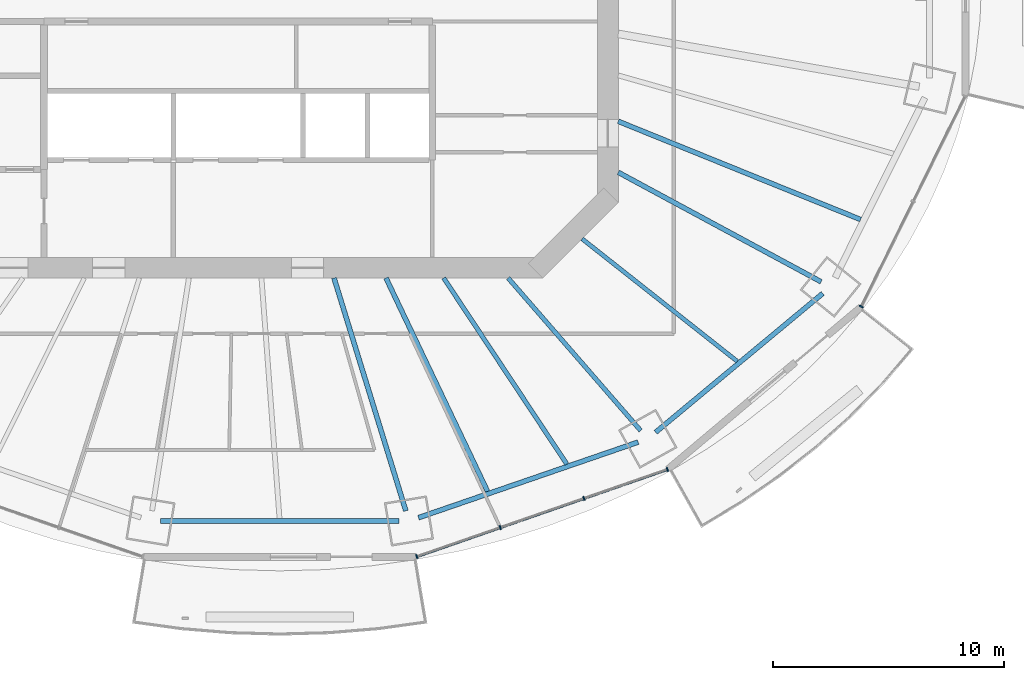
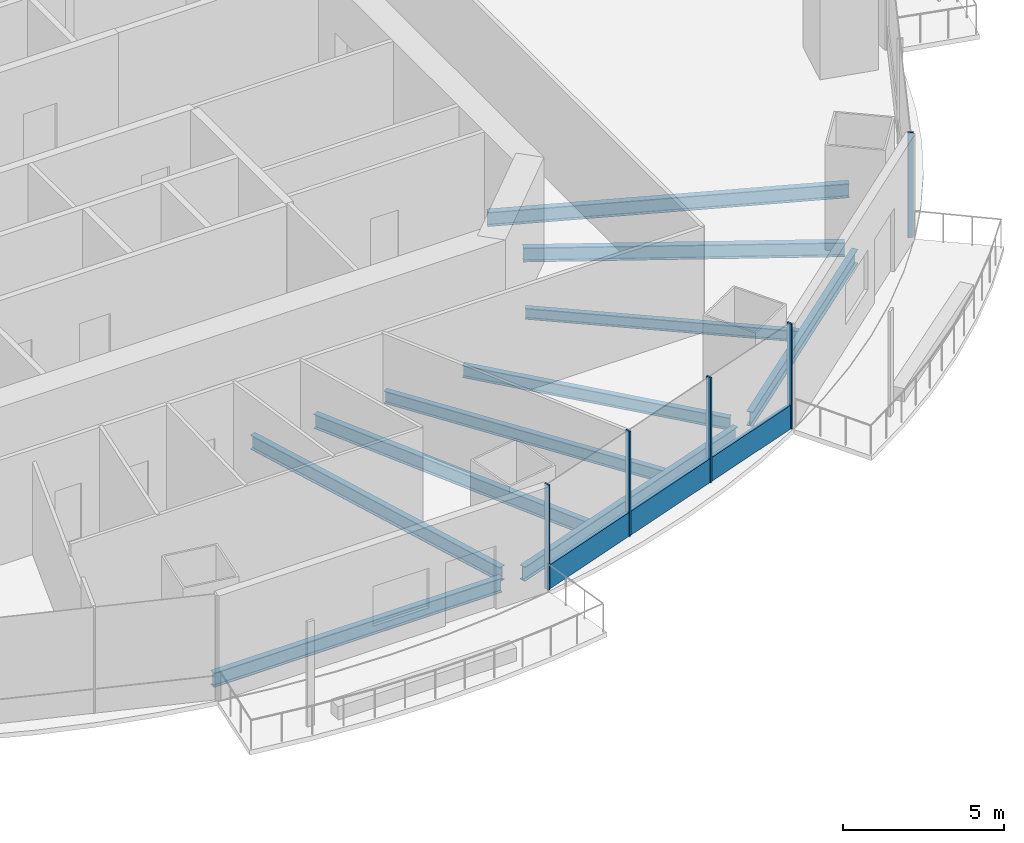
# One storey, part 4 of 19: 10 beams, 6 members, 2 elements without a shape of their own.
"""IFC4 building model written with IfcOpenShell, lengths in metres."""

import ifcopenshell
import ifcopenshell.guid

model = None  # the IFC model being written
_history = None  # IfcOwnerHistory: only IFC2X3 demands one
_inside = {}  # id of a spatial element -> (the spatial element, [elements in it])
_under = {}  # id of a project, library or spatial element -> (it, [spatial elements below it])
_declared = {}  # id of a project -> (the project, [libraries it declares])
_typed = {}  # id of a type object -> (the type object, [elements of that type])
_made_of = {}  # id of a material, layer set ... -> (it, [elements and type objects made of it])


def new_model(schema):
    """Start an empty IFC model of exactly this schema.

    Asked for "IFC4X3", IfcOpenShell would pick the latest addendum, in which some entities
    have other attributes; the version numbers below select the first issue.
    IFC2X3 requires an IfcOwnerHistory on every rooted entity: one is made here for all.
    """
    global model, _history
    if schema == "IFC4X3":
        model = ifcopenshell.file(schema_version=(4, 3, 0, 0))
    else:
        model = ifcopenshell.file(schema=schema)
    _inside.clear()
    _under.clear()
    _declared.clear()
    _typed.clear()
    _made_of.clear()
    _history = None
    if model.schema == "IFC2X3":
        org = make("IfcOrganization", Name="unknown")
        user = make(
            "IfcPersonAndOrganization",
            ThePerson=make("IfcPerson", FamilyName="unknown"),
            TheOrganization=org,
        )
        app = make(
            "IfcApplication",
            ApplicationDeveloper=org,
            Version="unknown",
            ApplicationFullName="unknown",
            ApplicationIdentifier="unknown",
        )
        _history = make(
            "IfcOwnerHistory",
            OwningUser=user,
            OwningApplication=app,
            ChangeAction="ADDED",
            CreationDate=0,
        )
    return model


def make(cls, **values):
    """One entity of the class cls with the attributes given. An attribute that is None is left unset."""
    return model.create_entity(
        cls, **{name: value for name, value in values.items() if value is not None}
    )


def rooted(cls, **values):
    """An entity with a GlobalId (a new one), such as an element, a storey or a relation."""
    return make(cls, GlobalId=ifcopenshell.guid.new(), OwnerHistory=_history, **values)


def si_unit(unit_type, name, prefix=None):
    """IfcSIUnit, for example si_unit("LENGTHUNIT", "METRE", prefix="MILLI")."""
    return make("IfcSIUnit", UnitType=unit_type, Prefix=prefix, Name=name)


def assignment(units):
    """IfcUnitAssignment: the units of a project."""
    return None if units is None else make("IfcUnitAssignment", Units=units)


def point(xyz):
    """IfcCartesianPoint."""
    return None if xyz is None else make("IfcCartesianPoint", Coordinates=xyz)


def direction(xyz):
    """IfcDirection."""
    return None if xyz is None else make("IfcDirection", DirectionRatios=xyz)


def frame(location, z_axis=None, x_axis=None):
    """IfcAxis2Placement3D, a coordinate frame: its origin and axes. An axis left out is left unset."""
    return make(
        "IfcAxis2Placement3D",
        Location=point(location),
        Axis=direction(z_axis),
        RefDirection=direction(x_axis),
    )


def frame_2d(location, x_axis=None):
    """IfcAxis2Placement2D, a coordinate frame in the plane: its origin and x axis."""
    return make(
        "IfcAxis2Placement2D", Location=point(location), RefDirection=direction(x_axis)
    )


def origin():
    """The frame at (0, 0, 0) with its axes left unset."""
    return frame((0.0, 0.0, 0.0))


def origin_2d():
    """The frame at (0, 0) in the plane with its x axis left unset."""
    return frame_2d((0.0, 0.0))


def place(relative_to, where):
    """IfcLocalPlacement: puts the frame where relative to a parent placement (None: the world)."""
    return make(
        "IfcLocalPlacement", PlacementRelTo=relative_to, RelativePlacement=where
    )


def context(
    kind, dimensions, precision=None, world=None, true_north=None, identifier=None
):
    """IfcGeometricRepresentationContext, for example the 3D "Model" context."""
    return make(
        "IfcGeometricRepresentationContext",
        ContextIdentifier=identifier,
        ContextType=kind,
        CoordinateSpaceDimension=dimensions,
        Precision=precision,
        WorldCoordinateSystem=world,
        TrueNorth=true_north,
    )


def subcontext(parent, identifier, kind, view, scale=None):
    """IfcGeometricRepresentationSubContext, for example "Body" below "Model"."""
    return make(
        "IfcGeometricRepresentationSubContext",
        ContextIdentifier=identifier,
        ContextType=kind,
        ParentContext=parent,
        TargetScale=scale,
        TargetView=view,
    )


def project(units=None, contexts=None):
    """IfcProject with its units and contexts."""
    return rooted(
        "IfcProject",
        Name="project",
        RepresentationContexts=contexts,
        UnitsInContext=assignment(units),
    )


def spatial(cls, under=None, at=None, **own):
    """A site, building, storey or space (cls), placed at a placement, below another one or the project."""
    s = rooted(cls, ObjectPlacement=at, **own)
    if under is not None:
        _under.setdefault(under.id(), (under, []))[1].append(s)
    return s


def profile(cls, at=None, kind="AREA", **sizes):
    """A parametric profile (cls). Its sizes go by their IFC names, for example OverallWidth=200.0."""
    return make(cls, ProfileType=kind, Position=at, **sizes)


def rectangle(**sizes):
    """IfcRectangleProfileDef."""
    return profile("IfcRectangleProfileDef", **sizes)


def i_section(**sizes):
    """IfcIShapeProfileDef."""
    return profile("IfcIShapeProfileDef", **sizes)


def extrude(swept, where, along, depth):
    """IfcExtrudedAreaSolid: the profile swept, set in the frame where, extruded along a direction by depth."""
    return make(
        "IfcExtrudedAreaSolid",
        SweptArea=swept,
        Position=where,
        ExtrudedDirection=direction(along),
        Depth=depth,
    )


def shape(context_of_items, identifier, shape_type, items):
    """IfcShapeRepresentation: the items that make up one representation, for example the "Body"."""
    return make(
        "IfcShapeRepresentation",
        ContextOfItems=context_of_items,
        RepresentationIdentifier=identifier,
        RepresentationType=shape_type,
        Items=items,
    )


def material(Name=None, Category=None):
    """IfcMaterial."""
    return make("IfcMaterial", Name=Name, Category=Category)


def material_profile(
    of_material, cross_section, Name=None, Category=None, Priority=None
):
    """IfcMaterialProfile: a cross section and its material."""
    return make(
        "IfcMaterialProfile",
        Name=Name,
        Material=of_material,
        Profile=cross_section,
        Priority=Priority,
        Category=Category,
    )


def profile_set(profiles, Name=None, composite=None):
    """IfcMaterialProfileSet."""
    return make(
        "IfcMaterialProfileSet",
        Name=Name,
        MaterialProfiles=profiles,
        CompositeProfile=composite,
    )


def made_of(thing, what):
    """Note that an element or type object is made of a material, layer set ...; save() writes the relation."""
    if what is not None:
        _made_of.setdefault(what.id(), (what, []))[1].append(thing)
    return thing


def type_object(cls, material=None, **own):
    """A type object (cls), such as IfcWallType, which elements share."""
    return made_of(rooted(cls, **own), material)


def element(
    cls,
    number,
    at=None,
    inside=None,
    cuts=None,
    type_object=None,
    material=None,
    context=None,
    identifier="Body",
    shape_type=None,
    held_by="IfcProductDefinitionShape",
    body=None,
    shapes=None,
    **own,
):
    """One element of the class cls, such as IfcWall. Its Tag is "e" and its number.

    at: its placement. inside: the storey or other place that contains it. cuts: it is an
    opening in that element (IfcRelVoidsElement). A single representation is given by context,
    identifier, shape_type and body (its items); several are given by shapes. held_by: the class
    of the entity that holds the representations. save() writes the other relations.
    """
    e = rooted(cls, Tag="e%d" % number, ObjectPlacement=at, **own)
    if body is not None:
        shapes = [shape(context, identifier, shape_type, body)]
    if shapes is not None:
        e.Representation = make(held_by, Representations=shapes)
    if inside is not None:
        _inside.setdefault(inside.id(), (inside, []))[1].append(e)
    if cuts is not None:
        rooted(
            "IfcRelVoidsElement", RelatingBuildingElement=cuts, RelatedOpeningElement=e
        )
    if type_object is not None:
        _typed.setdefault(type_object.id(), (type_object, []))[1].append(e)
    return made_of(e, material)


def aggregate(whole, parts):
    """IfcRelAggregates: a whole, such as a stair, and the parts it consists of."""
    return rooted("IfcRelAggregates", RelatingObject=whole, RelatedObjects=parts)


def save(model, path):
    """Write the relations noted so far, then the file.

    IfcRelAggregates (storeys below a building ...), IfcRelContainedInSpatialStructure (elements
    in a storey), IfcRelDefinesByType, IfcRelAssociatesMaterial and IfcRelDeclares: one each for
    every whole, place, type object, material and project.
    """
    for whole, parts in _under.values():
        aggregate(whole, parts)
    for where, things in _inside.values():
        rooted(
            "IfcRelContainedInSpatialStructure",
            RelatedElements=things,
            RelatingStructure=where,
        )
    for kind, things in _typed.values():
        rooted("IfcRelDefinesByType", RelatedObjects=things, RelatingType=kind)
    for what, things in _made_of.values():
        rooted("IfcRelAssociatesMaterial", RelatedObjects=things, RelatingMaterial=what)
    for by, libraries in _declared.values():
        rooted("IfcRelDeclares", RelatingContext=by, RelatedDefinitions=libraries)
    model.write(path)


model = new_model("IFC4")

# Units and contexts
model_context = context("Model", 3, precision=1e-05, world=origin(), true_north=direction((0.0, 1.0)))
body_context = subcontext(model_context, "Body", "Model", "MODEL_VIEW")
ifc_project = project(units=[si_unit("LENGTHUNIT", "METRE"), si_unit("AREAUNIT", "SQUARE_METRE"), si_unit("VOLUMEUNIT", "CUBIC_METRE"), si_unit("PLANEANGLEUNIT", "RADIAN"), si_unit("MASSUNIT", "GRAM", prefix="KILO")], contexts=[model_context])

# Site, building, storey
site_placement = place(None, origin())
site = spatial("IfcSite", under=ifc_project, at=site_placement, CompositionType="ELEMENT")
building_placement = place(site_placement, origin())
building = spatial("IfcBuilding", under=site, at=building_placement, Name="Marenthal Gate Tower", CompositionType="ELEMENT")
storey_placement = place(building_placement, frame((0.0, 0.0, 239.89990234375)))
storey = spatial("IfcBuildingStorey", under=building, at=storey_placement, Name="L53", CompositionType="ELEMENT", Elevation=239.89990234375)

# Curtain wall, members
ifc_material_1 = material(Name="Aluminium and glass", Category="aluminium")
curtain_wall_type = type_object("IfcCurtainWallType", Name="Curtain wall typical mid", PredefinedType="NOTDEFINED", material=ifc_material_1)
curtain_wall_1_placement = place(storey_placement, origin())
curtain_wall_1 = element("IfcCurtainWall", 1, at=curtain_wall_1_placement, inside=storey, type_object=curtain_wall_type, Name="Curtain wall L53 bay 13", PredefinedType="NOTDEFINED")
ifc_material_2 = material(Name="Aluminium", Category="aluminium")
ifc_material_profile_1 = material_profile(ifc_material_2, rectangle(XDim=0.179931640625, YDim=0.06005859375, at=origin_2d()), Name="60x180 aluminium mullion")
ifc_profile_set_1 = profile_set([ifc_material_profile_1], Name="Aluminium")
member_type_1 = type_object("IfcMemberType", Name="Mullion 60x180 typical mid", PredefinedType="MULLION", material=ifc_profile_set_1)
member_1_placement = place(storey_placement, frame((7.728759765625, -25.501220703125, 0.0), z_axis=(0.0, 0.0, 1.0), x_axis=(-0.328540448732, 0.944489901241, 0.0)))
member_1 = element("IfcMember", 2, at=member_1_placement, type_object=member_type_1, Name="Mullion L53 bay 13.1", PredefinedType="MULLION", context=body_context, shape_type="SweptSolid", body=[
    extrude(rectangle(XDim=0.179931640625, YDim=0.06005859375, at=origin_2d()), origin(), (0.0, 0.0, 1.0), 3.97021484375),
])
member_2_placement = place(storey_placement, frame((11.34423828125, -24.24365234375, 0.0), z_axis=(0.0, 0.0, 1.0), x_axis=(-0.328540448732, 0.944489901241, 0.0)))
member_2 = element("IfcMember", 3, at=member_2_placement, type_object=member_type_1, Name="Mullion L53 bay 13.2", PredefinedType="MULLION", context=body_context, shape_type="SweptSolid", body=[
    extrude(rectangle(XDim=0.179931640625, YDim=0.06005859375, at=origin_2d()), origin(), (0.0, 0.0, 1.0), 3.97021484375),
])
member_3_placement = place(storey_placement, frame((14.95947265625, -22.98583984375, 0.0), z_axis=(0.0, 0.0, 1.0), x_axis=(-0.328540448732, 0.944489901241, 0.0)))
member_3 = element("IfcMember", 4, at=member_3_placement, type_object=member_type_1, Name="Mullion L53 bay 13.3", PredefinedType="MULLION", context=body_context, shape_type="SweptSolid", body=[
    extrude(rectangle(XDim=0.179931640625, YDim=0.06005859375, at=origin_2d()), origin(), (0.0, 0.0, 1.0), 3.97021484375),
])
member_4_placement = place(storey_placement, frame((18.574951171875, -21.728271484375, 0.0), z_axis=(0.0, 0.0, 1.0), x_axis=(-0.328540448732, 0.944489901241, 0.0)))
member_4 = element("IfcMember", 5, at=member_4_placement, type_object=member_type_1, Name="Mullion L53 bay 13.4", PredefinedType="MULLION", context=body_context, shape_type="SweptSolid", body=[
    extrude(rectangle(XDim=0.179931640625, YDim=0.06005859375, at=origin_2d()), origin(), (0.0, 0.0, 1.0), 3.97021484375),
])

# Curtain wall, member
curtain_wall_2_placement = place(storey_placement, origin())
curtain_wall_2 = element("IfcCurtainWall", 6, at=curtain_wall_2_placement, inside=storey, type_object=curtain_wall_type, Name="Curtain wall L53 bay 15", PredefinedType="NOTDEFINED")
member_5_placement = place(storey_placement, frame((26.961181640625, -14.68408203125, 0.0), z_axis=(0.0, 0.0, 1.0), x_axis=(-0.896835471663, 0.442364258013, 0.0)))
member_5 = element("IfcMember", 7, at=member_5_placement, type_object=member_type_1, Name="Mullion L53 bay 15.1", PredefinedType="MULLION", context=body_context, shape_type="SweptSolid", body=[
    extrude(rectangle(XDim=0.179931640625, YDim=0.06005859375, at=origin_2d()), origin(), (0.0, 0.0, 1.0), 3.97021484375),
])
aggregate(curtain_wall_2, [member_5])

# Member
ifc_material_3 = material(Name="Aluminium", Category="aluminium")
ifc_material_profile_2 = material_profile(ifc_material_3, rectangle(XDim=0.1201171875, YDim=0.89990234375, at=origin_2d()), Name="120x900 aluminium transom")
ifc_profile_set_2 = profile_set([ifc_material_profile_2], Name="Aluminium")
member_type_2 = type_object("IfcMemberType", Name="Transom 120x900 typical mid", PredefinedType="USERDEFINED", material=ifc_profile_set_2)
member_6_placement = place(storey_placement, frame((7.757080078125, -25.4912109375, 0.4501953125), z_axis=(0.944495643428, 0.328523940598, 0.0), x_axis=(-0.328523940598, 0.944495643428, 0.0)))
member_6 = element("IfcMember", 8, at=member_6_placement, type_object=member_type_2, Name="Transom L53 bay 13", ObjectType="TRANSOM", PredefinedType="USERDEFINED", context=body_context, shape_type="SweptSolid", body=[
    extrude(rectangle(XDim=0.1201171875, YDim=0.89990234375, at=origin_2d()), origin(), (0.0, 0.0, 1.0), 11.423583984375),
])

aggregate(curtain_wall_1, [member_1, member_2, member_3, member_4, member_6])

# Beams
ifc_material_4 = material(Name="Steel S355", Category="steel")
ifc_material_profile_3 = material_profile(ifc_material_4, i_section(OverallWidth=0.180908203125, OverallDepth=0.4169921875, WebThickness=0.010986328125, FlangeThickness=0.018310546875, FilletRadius=0.01025390625, at=origin_2d()), Name="W410X85")
ifc_profile_set_3 = profile_set([ifc_material_profile_3], Name="Steel S355")
beam_type_1 = type_object("IfcBeamType", Name="W410X85 beam", PredefinedType="BEAM", material=ifc_profile_set_3)
beam_1_placement = place(storey_placement, frame((21.5947265625, -17.0517578125, -0.388427734375), z_axis=(-0.784827949128, 0.619713716379, 0.0), x_axis=(-0.619713716379, -0.784827949128, 0.0)))
element("IfcBeam", 9, at=beam_1_placement, inside=storey, type_object=beam_type_1, Name="BM-L53-37", PredefinedType="BEAM", context=body_context, shape_type="SweptSolid", body=[
    extrude(i_section(OverallWidth=0.180908203125, OverallDepth=0.4169921875, WebThickness=0.010986328125, FlangeThickness=0.018310546875, FilletRadius=0.01025390625, at=origin_2d()), origin(), (0.0, 0.0, 1.0), 8.55078125),
])
ifc_material_5 = material(Name="Steel S355", Category="steel")
ifc_material_profile_4 = material_profile(ifc_material_5, i_section(OverallWidth=0.193115234375, OverallDepth=0.467041015625, WebThickness=0.011474609375, FlangeThickness=0.01904296875, FilletRadius=0.010009765625, at=origin_2d()), Name="W460X97")
ifc_profile_set_4 = profile_set([ifc_material_profile_4], Name="Steel S355")
beam_type_2 = type_object("IfcBeamType", Name="W460X97 beam", PredefinedType="BEAM", material=ifc_profile_set_4)
beam_2_placement = place(storey_placement, frame((17.41650390625, -20.04931640625, -0.413330078125), z_axis=(-0.655793490166, 0.754940327613, 0.0), x_axis=(-0.754940327613, -0.655793490166, 0.0)))
element("IfcBeam", 10, at=beam_2_placement, inside=storey, type_object=beam_type_2, Name="BM-L53-14", PredefinedType="BEAM", context=body_context, shape_type="SweptSolid", body=[
    extrude(i_section(OverallWidth=0.193115234375, OverallDepth=0.467041015625, WebThickness=0.011474609375, FlangeThickness=0.01904296875, FilletRadius=0.010009765625, at=origin_2d()), origin(), (0.0, 0.0, 1.0), 8.741455078125),
])
beam_3_placement = place(storey_placement, frame((14.220703125, -21.4990234375, -0.413330078125), z_axis=(-0.551695872775, 0.834045360855, 0.0), x_axis=(-0.834045360855, -0.551695872775, 0.0)))
element("IfcBeam", 11, at=beam_3_placement, inside=storey, type_object=beam_type_2, Name="BM-L53-36", PredefinedType="BEAM", context=body_context, shape_type="SweptSolid", body=[
    extrude(i_section(OverallWidth=0.193115234375, OverallDepth=0.467041015625, WebThickness=0.011474609375, FlangeThickness=0.01904296875, FilletRadius=0.010009765625, at=origin_2d()), origin(), (0.0, 0.0, 1.0), 9.650634765625),
])
ifc_material_6 = material(Name="Steel S355", Category="steel")
ifc_material_profile_5 = material_profile(ifc_material_6, i_section(OverallWidth=0.2099609375, OverallDepth=0.535888671875, WebThickness=0.010986328125, FlangeThickness=0.017333984375, FilletRadius=0.0126953125, at=origin_2d()), Name="W530X101")
ifc_profile_set_5 = profile_set([ifc_material_profile_5], Name="Steel S355")
beam_type_3 = type_object("IfcBeamType", Name="W530X101 beam", PredefinedType="BEAM", material=ifc_profile_set_5)
beam_4_placement = place(storey_placement, frame((25.22412109375, -13.61181640625, -0.447998046875), z_axis=(-0.880039066963, 0.474901295659, 0.0), x_axis=(-0.474901295659, -0.880039066963, 0.0)))
element("IfcBeam", 12, at=beam_4_placement, inside=storey, type_object=beam_type_3, Name="BM-L53-15", PredefinedType="BEAM", context=body_context, shape_type="SweptSolid", body=[
    extrude(i_section(OverallWidth=0.2099609375, OverallDepth=0.535888671875, WebThickness=0.010986328125, FlangeThickness=0.017333984375, FilletRadius=0.0126953125, at=origin_2d()), origin(), (0.0, 0.0, 1.0), 9.97021484375),
])
beam_5_placement = place(storey_placement, frame((10.790771484375, -22.679443359375, -0.447998046875), z_axis=(-0.429643345943, 0.902998668485, 0.0), x_axis=(-0.902998668485, -0.429643345943, 0.0)))
element("IfcBeam", 13, at=beam_5_placement, inside=storey, type_object=beam_type_3, Name="BM-L53-35", PredefinedType="BEAM", context=body_context, shape_type="SweptSolid", body=[
    extrude(i_section(OverallWidth=0.2099609375, OverallDepth=0.535888671875, WebThickness=0.010986328125, FlangeThickness=0.017333984375, FilletRadius=0.0126953125, at=origin_2d()), origin(), (0.0, 0.0, 1.0), 10.220947265625),
])
beam_6_placement = place(storey_placement, frame((26.93115234375, -10.91845703125, -0.447998046875), z_axis=(-0.926735205443, 0.375715130109, 0.0), x_axis=(-0.375715130109, -0.926735205443, 0.0)))
element("IfcBeam", 14, at=beam_6_placement, inside=storey, type_object=beam_type_3, Name="BM-L53-38", PredefinedType="BEAM", context=body_context, shape_type="SweptSolid", body=[
    extrude(i_section(OverallWidth=0.2099609375, OverallDepth=0.535888671875, WebThickness=0.010986328125, FlangeThickness=0.017333984375, FilletRadius=0.0126953125, at=origin_2d()), origin(), (0.0, 0.0, 1.0), 11.309814453125),
])
ifc_material_7 = material(Name="Steel S355", Category="steel")
ifc_material_profile_6 = material_profile(ifc_material_7, i_section(OverallWidth=0.2119140625, OverallDepth=0.5439453125, WebThickness=0.01318359375, FlangeThickness=0.021240234375, FilletRadius=0.0126953125, at=origin_2d()), Name="W530X123")
ifc_profile_set_6 = profile_set([ifc_material_profile_6], Name="Steel S355")
beam_type_4 = type_object("IfcBeamType", Name="W530X123 beam", PredefinedType="BEAM", material=ifc_profile_set_6)
beam_7_placement = place(storey_placement, frame((7.257080078125, -23.52294921875, -0.451904296875), z_axis=(-0.294803475144, 0.955557905646, 0.0), x_axis=(-0.955557905646, -0.294803475144, 0.0)))
element("IfcBeam", 15, at=beam_7_placement, inside=storey, type_object=beam_type_4, Name="BM-L53-13", PredefinedType="BEAM", context=body_context, shape_type="SweptSolid", body=[
    extrude(i_section(OverallWidth=0.2119140625, OverallDepth=0.5439453125, WebThickness=0.01318359375, FlangeThickness=0.021240234375, FilletRadius=0.0126953125, at=origin_2d()), origin(), (0.0, 0.0, 1.0), 10.54150390625),
])
beam_8_placement = place(storey_placement, frame((-3.354736328125, -23.961181640625, -0.451904296875), z_axis=(1.0, 0.0, 0.0), x_axis=(0.0, 1.0, 0.0)))
element("IfcBeam", 16, at=beam_8_placement, inside=storey, type_object=beam_type_4, Name="BM-L53-52", PredefinedType="BEAM", context=body_context, shape_type="SweptSolid", body=[
    extrude(i_section(OverallWidth=0.2119140625, OverallDepth=0.5439453125, WebThickness=0.01318359375, FlangeThickness=0.021240234375, FilletRadius=0.0126953125, at=origin_2d()), origin(), (0.0, 0.0, 1.0), 10.3095703125),
])
beam_9_placement = place(storey_placement, frame((7.806640625, -23.818603515625, -0.451904296875), z_axis=(0.945563077228, 0.325438883638, 0.0), x_axis=(-0.325438883638, 0.945563077228, 0.0)))
element("IfcBeam", 17, at=beam_9_placement, inside=storey, type_object=beam_type_4, Name="BM-L53-53", PredefinedType="BEAM", context=body_context, shape_type="SweptSolid", body=[
    extrude(i_section(OverallWidth=0.2119140625, OverallDepth=0.5439453125, WebThickness=0.01318359375, FlangeThickness=0.021240234375, FilletRadius=0.0126953125, at=origin_2d()), origin(), (0.0, 0.0, 1.0), 10.05029296875),
])
beam_10_placement = place(storey_placement, frame((18.064697265625, -20.122802734375, -0.451904296875), z_axis=(0.769123379534, 0.639100326282, 0.0), x_axis=(-0.639100326282, 0.769123379534, 0.0)))
element("IfcBeam", 18, at=beam_10_placement, inside=storey, type_object=beam_type_4, Name="BM-L53-54", PredefinedType="BEAM", context=body_context, shape_type="SweptSolid", body=[
    extrude(i_section(OverallWidth=0.2119140625, OverallDepth=0.5439453125, WebThickness=0.01318359375, FlangeThickness=0.021240234375, FilletRadius=0.0126953125, at=origin_2d()), origin(), (0.0, 0.0, 1.0), 9.397705078125),
])

save(model, "model.ifc")
